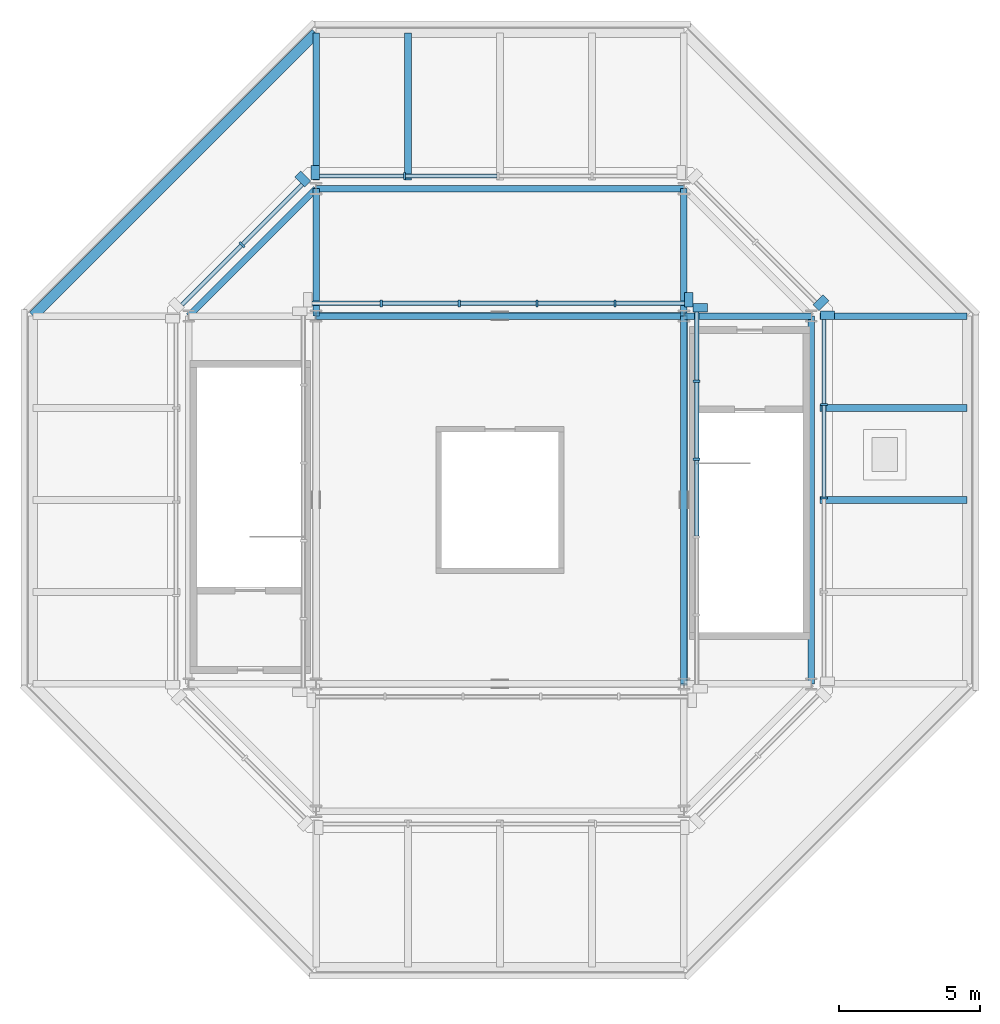
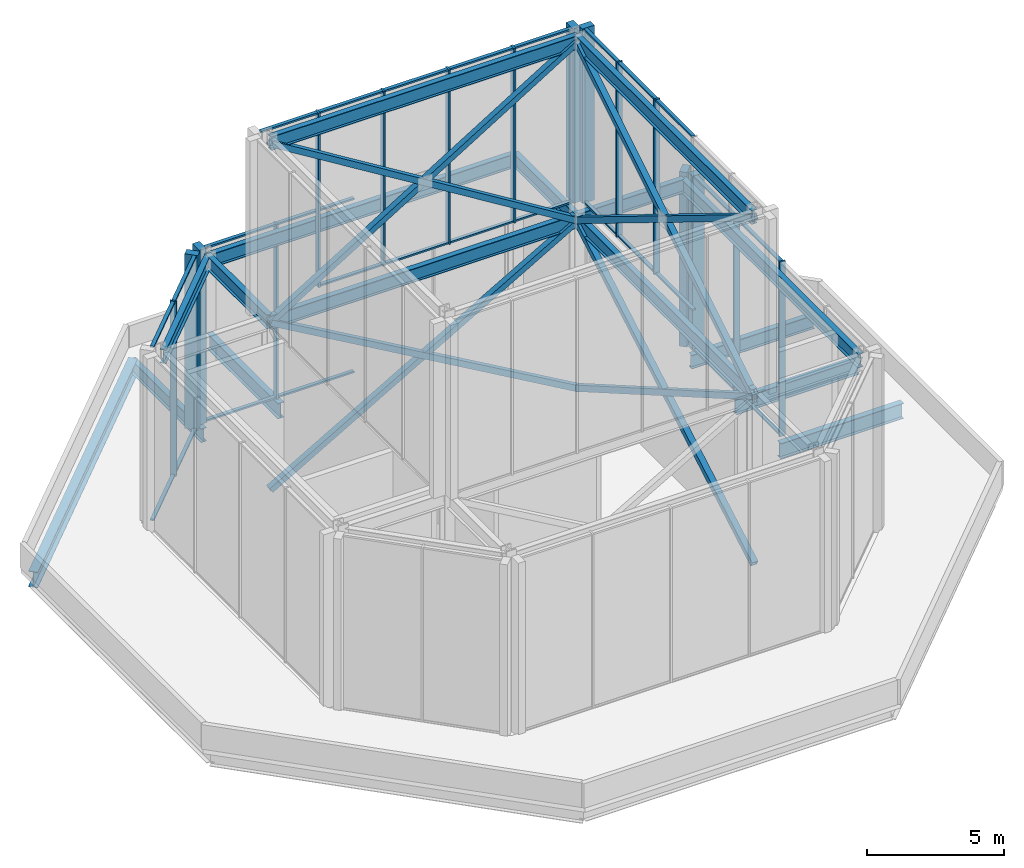
# One storey, part 3 of 6: 51 members, 16 beams, 6 elements without a shape of their own.
"""IFC4 building model written with IfcOpenShell, lengths in metres."""

from ifc_helpers import new_model, si_unit, direction, frame, origin, origin_2d, place, context, subcontext, project, spatial, rectangle, hollow_rectangle, i_section, extrude, material, material_profile, profile_set, type_object, element, aggregate, save


model = new_model("IFC4")

# Units and contexts
model_context = context("Model", 3, precision=1e-05, world=origin(), true_north=direction((0.0, 1.0)))
body_context = subcontext(model_context, "Body", "Model", "MODEL_VIEW")
ifc_project = project(units=[si_unit("LENGTHUNIT", "METRE"), si_unit("AREAUNIT", "SQUARE_METRE"), si_unit("VOLUMEUNIT", "CUBIC_METRE"), si_unit("PLANEANGLEUNIT", "RADIAN"), si_unit("MASSUNIT", "GRAM", prefix="KILO")], contexts=[model_context])

# Site, building, storey
site_placement = place(None, origin())
site = spatial("IfcSite", under=ifc_project, at=site_placement, CompositionType="ELEMENT")
building_placement = place(site_placement, origin())
building = spatial("IfcBuilding", under=site, at=building_placement, Name="Trevanion Tower", CompositionType="ELEMENT")
storey_placement = place(building_placement, frame((0.0, 0.0, 310.199951171875)))
storey = spatial("IfcBuildingStorey", under=building, at=storey_placement, Name="ROOF", CompositionType="ELEMENT", Elevation=310.199951171875)

# Beams
ifc_material_1 = material(Name="Steel ASTM A992 Grade 50", Category="steel")
ifc_material_profile_1 = material_profile(ifc_material_1, i_section(OverallWidth=0.25390625, OverallDepth=0.683349609375, WebThickness=0.012451171875, FlangeThickness=0.01904296875, at=origin_2d()), Name="W27X94")
ifc_profile_set_1 = profile_set([ifc_material_profile_1], Name="Steel ASTM A992 Grade 50")
beam_type_1 = type_object("IfcBeamType", Name="B16 W27X94", PredefinedType="BEAM", material=ifc_profile_set_1)
for number, where, z_axis, x_axis, name in (
    (1, (11.300048828125, 0.0, -0.531494140625), (1.0, 0.0, 0.0), (0.0, 1.0, 0.0), "B16 ROOF"),
    (2, (11.300048828125, 3.25, -0.531494140625), (1.0, 0.0, 0.0), (0.0, 1.0, 0.0), "B16 ROOF"),
    (3, (-3.25, 11.300048828125, -0.531494140625), (0.0, 1.0, 0.0), (-1.0, 0.0, 0.0), "B16 ROOF"),
):
    element("IfcBeam", number, at=place(storey_placement, frame(where, z_axis=z_axis, x_axis=x_axis)), inside=storey, type_object=beam_type_1, Name=name, PredefinedType="BEAM", context=body_context, shape_type="SweptSolid", body=[
        extrude(i_section(OverallWidth=0.25390625, OverallDepth=0.683349609375, WebThickness=0.012451171875, FlangeThickness=0.01904296875, at=origin_2d()), origin(), (0.0, 0.0, 1.0), 5.199951171875),
    ])
ifc_material_2 = material(Name="Steel ASTM A992 Grade 50", Category="steel")
ifc_material_profile_2 = material_profile(ifc_material_2, i_section(OverallWidth=0.23046875, OverallDepth=0.6171875, WebThickness=0.01318359375, FlangeThickness=0.022216796875, at=origin_2d()), Name="W24X94")
ifc_profile_set_2 = profile_set([ifc_material_profile_2], Name="Steel ASTM A992 Grade 50")
beam_type_2 = type_object("IfcBeamType", Name="CR1 W24X94", PredefinedType="BEAM", material=ifc_profile_set_2)
for number, where, z_axis, x_axis, name in (
    (4, (11.0, -6.5, 7.50146484375), (0.0, 1.0, 0.0), (-1.0, 0.0, 0.0), "CR1 crown T1 ring"),
    (5, (6.5, 11.0, 7.50146484375), (-1.0, 0.0, 0.0), (0.0, -1.0, 0.0), "CR1 crown T1 ring"),
):
    element("IfcBeam", number, at=place(storey_placement, frame(where, z_axis=z_axis, x_axis=x_axis)), inside=storey, type_object=beam_type_2, Name=name, PredefinedType="BEAM", context=body_context, shape_type="SweptSolid", body=[
        extrude(i_section(OverallWidth=0.23046875, OverallDepth=0.6171875, WebThickness=0.01318359375, FlangeThickness=0.022216796875, at=origin_2d()), origin(), (0.0, 0.0, 1.0), 13.0),
    ])
beam_1_placement = place(storey_placement, frame((-6.5, 11.0, 7.50146484375), z_axis=(-0.707106781187, -0.707106781187, 0.0), x_axis=(0.707106781187, -0.707106781187, 0.0)))
element("IfcBeam", 6, at=beam_1_placement, inside=storey, type_object=beam_type_2, Name="CR1 crown T1 ring", PredefinedType="BEAM", context=body_context, shape_type="SweptSolid", body=[
    extrude(i_section(OverallWidth=0.23046875, OverallDepth=0.6171875, WebThickness=0.01318359375, FlangeThickness=0.022216796875, at=origin_2d()), origin(), (0.0, 0.0, 1.0), 6.364013671875),
])
for number, where, z_axis, x_axis, name in (
    (7, (6.5, -6.5, 15.50146484375), (0.0, 1.0, 0.0), (-1.0, 0.0, 0.0), "CR1 crown T2 ring"),
    (8, (6.5, 6.5, 15.50146484375), (-1.0, 0.0, 0.0), (0.0, -1.0, 0.0), "CR1 crown T2 ring"),
):
    element("IfcBeam", number, at=place(storey_placement, frame(where, z_axis=z_axis, x_axis=x_axis)), inside=storey, type_object=beam_type_2, Name=name, PredefinedType="BEAM", context=body_context, shape_type="SweptSolid", body=[
        extrude(i_section(OverallWidth=0.23046875, OverallDepth=0.6171875, WebThickness=0.01318359375, FlangeThickness=0.022216796875, at=origin_2d()), origin(), (0.0, 0.0, 1.0), 13.0),
    ])
ifc_material_3 = material(Name="Steel ASTM A992 Grade 50", Category="steel")
ifc_material_profile_3 = material_profile(ifc_material_3, i_section(OverallWidth=0.23046875, OverallDepth=0.6171875, WebThickness=0.01318359375, FlangeThickness=0.022216796875, at=origin_2d()), Name="W24X94")
ifc_profile_set_3 = profile_set([ifc_material_profile_3], Name="Steel ASTM A992 Grade 50")
beam_type_3 = type_object("IfcBeamType", Name="CR2 W24X94", PredefinedType="BEAM", material=ifc_profile_set_3)
for number, where, z_axis, x_axis, name in (
    (9, (6.5, -6.5, 7.50146484375), (0.0, 1.0, 0.0), (-1.0, 0.0, 0.0), "CR2 crown tier 1 inner ring"),
    (10, (6.5, 6.5, 7.50146484375), (-1.0, 0.0, 0.0), (0.0, -1.0, 0.0), "CR2 crown tier 1 inner ring"),
):
    element("IfcBeam", number, at=place(storey_placement, frame(where, z_axis=z_axis, x_axis=x_axis)), inside=storey, type_object=beam_type_3, Name=name, PredefinedType="BEAM", context=body_context, shape_type="SweptSolid", body=[
        extrude(i_section(OverallWidth=0.23046875, OverallDepth=0.6171875, WebThickness=0.01318359375, FlangeThickness=0.022216796875, at=origin_2d()), origin(), (0.0, 0.0, 1.0), 13.0),
    ])
for number, where, z_axis, x_axis, name in (
    (11, (6.5, 6.5, 7.50146484375), (1.0, 0.0, 0.0), (0.0, 1.0, 0.0), "CR2 crown tier 1 radial"),
    (12, (6.5, 6.5, 7.50146484375), (0.0, 1.0, 0.0), (-1.0, 0.0, 0.0), "CR2 crown tier 1 radial"),
    (13, (-6.5, 6.5, 7.50146484375), (0.0, 1.0, 0.0), (-1.0, 0.0, 0.0), "CR2 crown tier 1 radial"),
):
    element("IfcBeam", number, at=place(storey_placement, frame(where, z_axis=z_axis, x_axis=x_axis)), inside=storey, type_object=beam_type_3, Name=name, PredefinedType="BEAM", context=body_context, shape_type="SweptSolid", body=[
        extrude(i_section(OverallWidth=0.23046875, OverallDepth=0.6171875, WebThickness=0.01318359375, FlangeThickness=0.022216796875, at=origin_2d()), origin(), (0.0, 0.0, 1.0), 4.5),
    ])

# Curtain wall, member
ifc_material_4 = material(Name="Aluminium louvres", Category="aluminium")
curtain_wall_type = type_object("IfcCurtainWallType", Name="CWC curtain wall", PredefinedType="USERDEFINED", material=ifc_material_4)
curtain_wall_1_placement = place(storey_placement, origin())
curtain_wall_1 = element("IfcCurtainWall", 14, at=curtain_wall_1_placement, inside=storey, type_object=curtain_wall_type, Name="CWC ROOF 1", ObjectType="LOUVRE SCREEN", PredefinedType="USERDEFINED")
ifc_material_5 = material(Name="Aluminium extrusion, anodised bronze", Category="aluminium")
ifc_material_profile_4 = material_profile(ifc_material_5, rectangle(XDim=0.074951171875, YDim=0.25, at=origin_2d()), Name="CWC mullion")
ifc_profile_set_4 = profile_set([ifc_material_profile_4], Name="Aluminium extrusion, anodised bronze")
member_type_1 = type_object("IfcMemberType", Name="CWC mullion", PredefinedType="MULLION", material=ifc_profile_set_4)
member_1_placement = place(storey_placement, frame((-3.375732421875, 11.449951171875, 0.0), z_axis=(0.0, 0.0, 1.0), x_axis=(-1.0, 0.0, 0.0)))
member_1 = element("IfcMember", 15, at=member_1_placement, type_object=member_type_1, Name="CWC mullion 4", PredefinedType="MULLION", context=body_context, shape_type="SweptSolid", body=[
    extrude(rectangle(XDim=0.074951171875, YDim=0.25, at=origin_2d()), origin(), (0.0, 0.0, 1.0), 7.81005859375),
])

curtain_wall_2_placement = place(storey_placement, origin())
curtain_wall_2 = element("IfcCurtainWall", 16, at=curtain_wall_2_placement, inside=storey, type_object=curtain_wall_type, Name="CWC ROOF 2", ObjectType="LOUVRE SCREEN", PredefinedType="USERDEFINED")
member_2_placement = place(storey_placement, frame((-9.1142578125, 9.022216796875, 0.0), z_axis=(0.0, 0.0, 1.0), x_axis=(-0.707106781187, -0.707106781187, 0.0)))
member_2 = element("IfcMember", 17, at=member_2_placement, type_object=member_type_1, Name="CWC mullion 2", PredefinedType="MULLION", context=body_context, shape_type="SweptSolid", body=[
    extrude(rectangle(XDim=0.074951171875, YDim=0.25, at=origin_2d()), origin(), (0.0, 0.0, 1.0), 7.81005859375),
])

# Curtain wall, members
curtain_wall_3_placement = place(storey_placement, origin())
curtain_wall_3 = element("IfcCurtainWall", 18, at=curtain_wall_3_placement, inside=storey, type_object=curtain_wall_type, Name="CWC ROOF 7", ObjectType="LOUVRE SCREEN", PredefinedType="USERDEFINED")
member_3_placement = place(storey_placement, frame((11.449951171875, 0.06494140625, 0.0), z_axis=(0.0, 0.0, 1.0), x_axis=(0.0, 1.0, 0.0)))
member_3 = element("IfcMember", 19, at=member_3_placement, type_object=member_type_1, Name="CWC mullion 3", PredefinedType="MULLION", context=body_context, shape_type="SweptSolid", body=[
    extrude(rectangle(XDim=0.074951171875, YDim=0.25, at=origin_2d()), origin(), (0.0, 0.0, 1.0), 7.81005859375),
])
member_4_placement = place(storey_placement, frame((11.449951171875, 3.375732421875, 0.0), z_axis=(0.0, 0.0, 1.0), x_axis=(0.0, 1.0, 0.0)))
member_4 = element("IfcMember", 20, at=member_4_placement, type_object=member_type_1, Name="CWC mullion 4", PredefinedType="MULLION", context=body_context, shape_type="SweptSolid", body=[
    extrude(rectangle(XDim=0.074951171875, YDim=0.25, at=origin_2d()), origin(), (0.0, 0.0, 1.0), 7.81005859375),
])

curtain_wall_4_placement = place(storey_placement, origin())
curtain_wall_4 = element("IfcCurtainWall", 21, at=curtain_wall_4_placement, inside=storey, type_object=curtain_wall_type, Name="CWC ROOF 0", ObjectType="LOUVRE SCREEN", PredefinedType="USERDEFINED")
member_5_placement = place(storey_placement, frame((4.06591796875, 6.949951171875, 8.0), z_axis=(0.0, 0.0, 1.0), x_axis=(-1.0, 0.0, 0.0)))
member_5 = element("IfcMember", 22, at=member_5_placement, type_object=member_type_1, Name="CWC mullion 2", PredefinedType="MULLION", context=body_context, shape_type="SweptSolid", body=[
    extrude(rectangle(XDim=0.074951171875, YDim=0.25, at=origin_2d()), origin(), (0.0, 0.0, 1.0), 7.81005859375),
])
member_6_placement = place(storey_placement, frame((1.31201171875, 6.949951171875, 8.0), z_axis=(0.0, 0.0, 1.0), x_axis=(-1.0, 0.0, 0.0)))
member_6 = element("IfcMember", 23, at=member_6_placement, type_object=member_type_1, Name="CWC mullion 3", PredefinedType="MULLION", context=body_context, shape_type="SweptSolid", body=[
    extrude(rectangle(XDim=0.074951171875, YDim=0.25, at=origin_2d()), origin(), (0.0, 0.0, 1.0), 7.81005859375),
])
member_7_placement = place(storey_placement, frame((-1.44189453125, 6.949951171875, 8.0), z_axis=(0.0, 0.0, 1.0), x_axis=(-1.0, 0.0, 0.0)))
member_7 = element("IfcMember", 24, at=member_7_placement, type_object=member_type_1, Name="CWC mullion 4", PredefinedType="MULLION", context=body_context, shape_type="SweptSolid", body=[
    extrude(rectangle(XDim=0.074951171875, YDim=0.25, at=origin_2d()), origin(), (0.0, 0.0, 1.0), 7.81005859375),
])
member_8_placement = place(storey_placement, frame((-4.196044921875, 6.949951171875, 8.0), z_axis=(0.0, 0.0, 1.0), x_axis=(-1.0, 0.0, 0.0)))
member_8 = element("IfcMember", 25, at=member_8_placement, type_object=member_type_1, Name="CWC mullion 5", PredefinedType="MULLION", context=body_context, shape_type="SweptSolid", body=[
    extrude(rectangle(XDim=0.074951171875, YDim=0.25, at=origin_2d()), origin(), (0.0, 0.0, 1.0), 7.81005859375),
])

curtain_wall_5_placement = place(storey_placement, origin())
curtain_wall_5 = element("IfcCurtainWall", 26, at=curtain_wall_5_placement, inside=storey, type_object=curtain_wall_type, Name="CWC ROOF 3", ObjectType="LOUVRE SCREEN", PredefinedType="USERDEFINED")
member_9_placement = place(storey_placement, frame((6.949951171875, 1.44189453125, 8.0), z_axis=(0.0, 0.0, 1.0), x_axis=(0.0, 1.0, 0.0)))
member_9 = element("IfcMember", 27, at=member_9_placement, type_object=member_type_1, Name="CWC mullion 4", PredefinedType="MULLION", context=body_context, shape_type="SweptSolid", body=[
    extrude(rectangle(XDim=0.074951171875, YDim=0.25, at=origin_2d()), origin(), (0.0, 0.0, 1.0), 7.81005859375),
])
member_10_placement = place(storey_placement, frame((6.949951171875, 4.196044921875, 8.0), z_axis=(0.0, 0.0, 1.0), x_axis=(0.0, 1.0, 0.0)))
member_10 = element("IfcMember", 28, at=member_10_placement, type_object=member_type_1, Name="CWC mullion 5", PredefinedType="MULLION", context=body_context, shape_type="SweptSolid", body=[
    extrude(rectangle(XDim=0.074951171875, YDim=0.25, at=origin_2d()), origin(), (0.0, 0.0, 1.0), 7.81005859375),
])

# Curtain wall, member
curtain_wall_6_placement = place(storey_placement, origin())
curtain_wall_6 = element("IfcCurtainWall", 29, at=curtain_wall_6_placement, inside=storey, type_object=curtain_wall_type, Name="CWC ROOF 0", ObjectType="LOUVRE SCREEN", PredefinedType="USERDEFINED")
ifc_material_6 = material(Name="Aluminium extrusion, anodised bronze", Category="aluminium")
ifc_material_profile_5 = material_profile(ifc_material_6, rectangle(XDim=0.300048828125, YDim=0.5, at=origin_2d()), Name="CWC pier mullion")
ifc_profile_set_5 = profile_set([ifc_material_profile_5], Name="Aluminium extrusion, anodised bronze")
member_type_2 = type_object("IfcMemberType", Name="CWC pier mullion", PredefinedType="MULLION", material=ifc_profile_set_5)
member_11_placement = place(storey_placement, frame((11.34033203125, 6.972900390625, 0.0), z_axis=(0.0, 0.0, 1.0), x_axis=(-0.707106781187, 0.707106781187, 0.0)))
member_11 = element("IfcMember", 30, at=member_11_placement, type_object=member_type_2, Name="CWC pier mullion 1", PredefinedType="MULLION", context=body_context, shape_type="SweptSolid", body=[
    extrude(rectangle(XDim=0.300048828125, YDim=0.5, at=origin_2d()), origin(), (0.0, 0.0, 1.0), 7.81005859375),
])
aggregate(curtain_wall_6, [member_11])

# Member
member_12_placement = place(storey_placement, frame((-6.536376953125, 11.574951171875, 0.0), z_axis=(0.0, 0.0, 1.0), x_axis=(-1.0, 0.0, 0.0)))
member_12 = element("IfcMember", 31, at=member_12_placement, type_object=member_type_2, Name="CWC pier mullion 5", PredefinedType="MULLION", context=body_context, shape_type="SweptSolid", body=[
    extrude(rectangle(XDim=0.300048828125, YDim=0.5, at=origin_2d()), origin(), (0.0, 0.0, 1.0), 7.81005859375),
])

member_13_placement = place(storey_placement, frame((-6.972900390625, 11.34033203125, 0.0), z_axis=(0.0, 0.0, 1.0), x_axis=(-0.707106781187, -0.707106781187, 0.0)))
member_13 = element("IfcMember", 32, at=member_13_placement, type_object=member_type_2, Name="CWC pier mullion 1", PredefinedType="MULLION", context=body_context, shape_type="SweptSolid", body=[
    extrude(rectangle(XDim=0.300048828125, YDim=0.5, at=origin_2d()), origin(), (0.0, 0.0, 1.0), 7.81005859375),
])

member_14_placement = place(storey_placement, frame((11.574951171875, 6.536376953125, 0.0), z_axis=(0.0, 0.0, 1.0), x_axis=(0.0, 1.0, 0.0)))
member_14 = element("IfcMember", 33, at=member_14_placement, type_object=member_type_2, Name="CWC pier mullion 5", PredefinedType="MULLION", context=body_context, shape_type="SweptSolid", body=[
    extrude(rectangle(XDim=0.300048828125, YDim=0.5, at=origin_2d()), origin(), (0.0, 0.0, 1.0), 7.81005859375),
])

member_15_placement = place(storey_placement, frame((6.669921875, 7.074951171875, 8.0), z_axis=(0.0, 0.0, 1.0), x_axis=(-1.0, 0.0, 0.0)))
member_15 = element("IfcMember", 34, at=member_15_placement, type_object=member_type_2, Name="CWC pier mullion 1", PredefinedType="MULLION", context=body_context, shape_type="SweptSolid", body=[
    extrude(rectangle(XDim=0.300048828125, YDim=0.5, at=origin_2d()), origin(), (0.0, 0.0, 1.0), 7.81005859375),
])

member_16_placement = place(storey_placement, frame((7.074951171875, 6.800048828125, 8.0), z_axis=(0.0, 0.0, 1.0), x_axis=(0.0, 1.0, 0.0)))
member_16 = element("IfcMember", 35, at=member_16_placement, type_object=member_type_2, Name="CWC pier mullion 6", PredefinedType="MULLION", context=body_context, shape_type="SweptSolid", body=[
    extrude(rectangle(XDim=0.300048828125, YDim=0.5, at=origin_2d()), origin(), (0.0, 0.0, 1.0), 7.81005859375),
])

ifc_material_7 = material(Name="Aluminium extrusion, anodised bronze", Category="aluminium")
ifc_material_profile_6 = material_profile(ifc_material_7, rectangle(XDim=0.14990234375, YDim=0.074951171875, at=origin_2d()), Name="CWC transom")
ifc_profile_set_6 = profile_set([ifc_material_profile_6], Name="Aluminium extrusion, anodised bronze")
member_type_3 = type_object("IfcMemberType", Name="CWC transom", PredefinedType="USERDEFINED", material=ifc_profile_set_6)
member_17_placement = place(storey_placement, frame((-0.1025390625, 11.449951171875, 0.03759765625), z_axis=(-1.0, 0.0, 0.0), x_axis=(0.0, -1.0, 0.0)))
member_17 = element("IfcMember", 36, at=member_17_placement, type_object=member_type_3, Name="CWC transom 3.1", ObjectType="TRANSOM", PredefinedType="USERDEFINED", context=body_context, shape_type="SweptSolid", body=[
    extrude(rectangle(XDim=0.14990234375, YDim=0.074951171875, at=origin_2d()), origin(), (0.0, 0.0, 1.0), 3.235595703125),
])

member_18_placement = place(storey_placement, frame((-0.1025390625, 11.449951171875, 7.7724609375), z_axis=(-1.0, 0.0, 0.0), x_axis=(0.0, -1.0, 0.0)))
member_18 = element("IfcMember", 37, at=member_18_placement, type_object=member_type_3, Name="CWC transom 3.2", ObjectType="TRANSOM", PredefinedType="USERDEFINED", context=body_context, shape_type="SweptSolid", body=[
    extrude(rectangle(XDim=0.14990234375, YDim=0.074951171875, at=origin_2d()), origin(), (0.0, 0.0, 1.0), 3.235595703125),
])

member_19_placement = place(storey_placement, frame((-3.4130859375, 11.449951171875, 0.03759765625), z_axis=(-1.0, 0.0, 0.0), x_axis=(0.0, -1.0, 0.0)))
member_19 = element("IfcMember", 38, at=member_19_placement, type_object=member_type_3, Name="CWC transom 4.1", ObjectType="TRANSOM", PredefinedType="USERDEFINED", context=body_context, shape_type="SweptSolid", body=[
    extrude(rectangle(XDim=0.14990234375, YDim=0.074951171875, at=origin_2d()), origin(), (0.0, 0.0, 1.0), 2.973388671875),
])

member_20_placement = place(storey_placement, frame((-3.4130859375, 11.449951171875, 7.7724609375), z_axis=(-1.0, 0.0, 0.0), x_axis=(0.0, -1.0, 0.0)))
member_20 = element("IfcMember", 39, at=member_20_placement, type_object=member_type_3, Name="CWC transom 4.2", ObjectType="TRANSOM", PredefinedType="USERDEFINED", context=body_context, shape_type="SweptSolid", body=[
    extrude(rectangle(XDim=0.14990234375, YDim=0.074951171875, at=origin_2d()), origin(), (0.0, 0.0, 1.0), 2.973388671875),
])

aggregate(curtain_wall_1, [member_1, member_12, member_17, member_18, member_19, member_20])

member_21_placement = place(storey_placement, frame((-6.990478515625, 11.14599609375, 0.03759765625), z_axis=(-0.707106781187, -0.707106781187, 0.0), x_axis=(0.707106781187, -0.707106781187, 0.0)))
member_21 = element("IfcMember", 40, at=member_21_placement, type_object=member_type_3, Name="CWC transom 1.1", ObjectType="TRANSOM", PredefinedType="USERDEFINED", context=body_context, shape_type="SweptSolid", body=[
    extrude(rectangle(XDim=0.14990234375, YDim=0.074951171875, at=origin_2d()), origin(), (0.0, 0.0, 1.0), 2.9658203125),
])

member_22_placement = place(storey_placement, frame((-6.990478515625, 11.14599609375, 7.7724609375), z_axis=(-0.707106781187, -0.707106781187, 0.0), x_axis=(0.707106781187, -0.707106781187, 0.0)))
member_22 = element("IfcMember", 41, at=member_22_placement, type_object=member_type_3, Name="CWC transom 1.2", ObjectType="TRANSOM", PredefinedType="USERDEFINED", context=body_context, shape_type="SweptSolid", body=[
    extrude(rectangle(XDim=0.14990234375, YDim=0.074951171875, at=origin_2d()), origin(), (0.0, 0.0, 1.0), 2.9658203125),
])

member_23_placement = place(storey_placement, frame((-9.140625, 8.99560546875, 0.03759765625), z_axis=(-0.707106781187, -0.707106781187, 0.0), x_axis=(0.707106781187, -0.707106781187, 0.0)))
member_23 = element("IfcMember", 42, at=member_23_placement, type_object=member_type_3, Name="CWC transom 2.1", ObjectType="TRANSOM", PredefinedType="USERDEFINED", context=body_context, shape_type="SweptSolid", body=[
    extrude(rectangle(XDim=0.14990234375, YDim=0.074951171875, at=origin_2d()), origin(), (0.0, 0.0, 1.0), 2.9658203125),
])

member_24_placement = place(storey_placement, frame((-9.140625, 8.99560546875, 7.7724609375), z_axis=(-0.707106781187, -0.707106781187, 0.0), x_axis=(0.707106781187, -0.707106781187, 0.0)))
member_24 = element("IfcMember", 43, at=member_24_placement, type_object=member_type_3, Name="CWC transom 2.2", ObjectType="TRANSOM", PredefinedType="USERDEFINED", context=body_context, shape_type="SweptSolid", body=[
    extrude(rectangle(XDim=0.14990234375, YDim=0.074951171875, at=origin_2d()), origin(), (0.0, 0.0, 1.0), 2.9658203125),
])

aggregate(curtain_wall_2, [member_13, member_2, member_21, member_22, member_23, member_24])

member_25_placement = place(storey_placement, frame((11.449951171875, 0.1025390625, 0.03759765625), z_axis=(0.0, 1.0, 0.0), x_axis=(-1.0, 0.0, 0.0)))
member_25 = element("IfcMember", 44, at=member_25_placement, type_object=member_type_3, Name="CWC transom 3.1", ObjectType="TRANSOM", PredefinedType="USERDEFINED", context=body_context, shape_type="SweptSolid", body=[
    extrude(rectangle(XDim=0.14990234375, YDim=0.074951171875, at=origin_2d()), origin(), (0.0, 0.0, 1.0), 3.235595703125),
])

member_26_placement = place(storey_placement, frame((11.449951171875, 0.1025390625, 7.7724609375), z_axis=(0.0, 1.0, 0.0), x_axis=(-1.0, 0.0, 0.0)))
member_26 = element("IfcMember", 45, at=member_26_placement, type_object=member_type_3, Name="CWC transom 3.2", ObjectType="TRANSOM", PredefinedType="USERDEFINED", context=body_context, shape_type="SweptSolid", body=[
    extrude(rectangle(XDim=0.14990234375, YDim=0.074951171875, at=origin_2d()), origin(), (0.0, 0.0, 1.0), 3.235595703125),
])

member_27_placement = place(storey_placement, frame((11.449951171875, 3.4130859375, 0.03759765625), z_axis=(0.0, 1.0, 0.0), x_axis=(-1.0, 0.0, 0.0)))
member_27 = element("IfcMember", 46, at=member_27_placement, type_object=member_type_3, Name="CWC transom 4.1", ObjectType="TRANSOM", PredefinedType="USERDEFINED", context=body_context, shape_type="SweptSolid", body=[
    extrude(rectangle(XDim=0.14990234375, YDim=0.074951171875, at=origin_2d()), origin(), (0.0, 0.0, 1.0), 2.973388671875),
])

member_28_placement = place(storey_placement, frame((11.449951171875, 3.4130859375, 7.7724609375), z_axis=(0.0, 1.0, 0.0), x_axis=(-1.0, 0.0, 0.0)))
member_28 = element("IfcMember", 47, at=member_28_placement, type_object=member_type_3, Name="CWC transom 4.2", ObjectType="TRANSOM", PredefinedType="USERDEFINED", context=body_context, shape_type="SweptSolid", body=[
    extrude(rectangle(XDim=0.14990234375, YDim=0.074951171875, at=origin_2d()), origin(), (0.0, 0.0, 1.0), 2.973388671875),
])

aggregate(curtain_wall_3, [member_3, member_4, member_14, member_25, member_26, member_27, member_28])

member_29_placement = place(storey_placement, frame((6.52001953125, 6.949951171875, 8.03759765625), z_axis=(-1.0, 0.0, 0.0), x_axis=(0.0, -1.0, 0.0)))
member_29 = element("IfcMember", 48, at=member_29_placement, type_object=member_type_3, Name="CWC transom 1.1", ObjectType="TRANSOM", PredefinedType="USERDEFINED", context=body_context, shape_type="SweptSolid", body=[
    extrude(rectangle(XDim=0.14990234375, YDim=0.074951171875, at=origin_2d()), origin(), (0.0, 0.0, 1.0), 2.41650390625),
])

member_30_placement = place(storey_placement, frame((6.52001953125, 6.949951171875, 15.7724609375), z_axis=(-1.0, 0.0, 0.0), x_axis=(0.0, -1.0, 0.0)))
member_30 = element("IfcMember", 49, at=member_30_placement, type_object=member_type_3, Name="CWC transom 1.2", ObjectType="TRANSOM", PredefinedType="USERDEFINED", context=body_context, shape_type="SweptSolid", body=[
    extrude(rectangle(XDim=0.14990234375, YDim=0.074951171875, at=origin_2d()), origin(), (0.0, 0.0, 1.0), 2.41650390625),
])

member_31_placement = place(storey_placement, frame((4.028564453125, 6.949951171875, 8.03759765625), z_axis=(-1.0, 0.0, 0.0), x_axis=(0.0, -1.0, 0.0)))
member_31 = element("IfcMember", 50, at=member_31_placement, type_object=member_type_3, Name="CWC transom 2.1", ObjectType="TRANSOM", PredefinedType="USERDEFINED", context=body_context, shape_type="SweptSolid", body=[
    extrude(rectangle(XDim=0.14990234375, YDim=0.074951171875, at=origin_2d()), origin(), (0.0, 0.0, 1.0), 2.678955078125),
])

member_32_placement = place(storey_placement, frame((4.028564453125, 6.949951171875, 15.7724609375), z_axis=(-1.0, 0.0, 0.0), x_axis=(0.0, -1.0, 0.0)))
member_32 = element("IfcMember", 51, at=member_32_placement, type_object=member_type_3, Name="CWC transom 2.2", ObjectType="TRANSOM", PredefinedType="USERDEFINED", context=body_context, shape_type="SweptSolid", body=[
    extrude(rectangle(XDim=0.14990234375, YDim=0.074951171875, at=origin_2d()), origin(), (0.0, 0.0, 1.0), 2.678955078125),
])

member_33_placement = place(storey_placement, frame((1.2744140625, 6.949951171875, 8.03759765625), z_axis=(-1.0, 0.0, 0.0), x_axis=(0.0, -1.0, 0.0)))
member_33 = element("IfcMember", 52, at=member_33_placement, type_object=member_type_3, Name="CWC transom 3.1", ObjectType="TRANSOM", PredefinedType="USERDEFINED", context=body_context, shape_type="SweptSolid", body=[
    extrude(rectangle(XDim=0.14990234375, YDim=0.074951171875, at=origin_2d()), origin(), (0.0, 0.0, 1.0), 2.678955078125),
])

member_34_placement = place(storey_placement, frame((1.2744140625, 6.949951171875, 15.7724609375), z_axis=(-1.0, 0.0, 0.0), x_axis=(0.0, -1.0, 0.0)))
member_34 = element("IfcMember", 53, at=member_34_placement, type_object=member_type_3, Name="CWC transom 3.2", ObjectType="TRANSOM", PredefinedType="USERDEFINED", context=body_context, shape_type="SweptSolid", body=[
    extrude(rectangle(XDim=0.14990234375, YDim=0.074951171875, at=origin_2d()), origin(), (0.0, 0.0, 1.0), 2.678955078125),
])

member_35_placement = place(storey_placement, frame((-1.4794921875, 6.949951171875, 8.03759765625), z_axis=(-1.0, 0.0, 0.0), x_axis=(0.0, -1.0, 0.0)))
member_35 = element("IfcMember", 54, at=member_35_placement, type_object=member_type_3, Name="CWC transom 4.1", ObjectType="TRANSOM", PredefinedType="USERDEFINED", context=body_context, shape_type="SweptSolid", body=[
    extrude(rectangle(XDim=0.14990234375, YDim=0.074951171875, at=origin_2d()), origin(), (0.0, 0.0, 1.0), 2.678955078125),
])

member_36_placement = place(storey_placement, frame((-1.4794921875, 6.949951171875, 15.7724609375), z_axis=(-1.0, 0.0, 0.0), x_axis=(0.0, -1.0, 0.0)))
member_36 = element("IfcMember", 55, at=member_36_placement, type_object=member_type_3, Name="CWC transom 4.2", ObjectType="TRANSOM", PredefinedType="USERDEFINED", context=body_context, shape_type="SweptSolid", body=[
    extrude(rectangle(XDim=0.14990234375, YDim=0.074951171875, at=origin_2d()), origin(), (0.0, 0.0, 1.0), 2.678955078125),
])

member_37_placement = place(storey_placement, frame((-4.2333984375, 6.949951171875, 15.7724609375), z_axis=(-1.0, 0.0, 0.0), x_axis=(0.0, -1.0, 0.0)))
member_37 = element("IfcMember", 56, at=member_37_placement, type_object=member_type_3, Name="CWC transom 5.2", ObjectType="TRANSOM", PredefinedType="USERDEFINED", context=body_context, shape_type="SweptSolid", body=[
    extrude(rectangle(XDim=0.14990234375, YDim=0.074951171875, at=origin_2d()), origin(), (0.0, 0.0, 1.0), 2.41650390625),
])

aggregate(curtain_wall_4, [member_15, member_5, member_6, member_7, member_8, member_29, member_30, member_31, member_32, member_33, member_34, member_35, member_36, member_37])

member_38_placement = place(storey_placement, frame((6.949951171875, -1.2744140625, 8.03759765625), z_axis=(0.0, 1.0, 0.0), x_axis=(-1.0, 0.0, 0.0)))
member_38 = element("IfcMember", 57, at=member_38_placement, type_object=member_type_3, Name="CWC transom 3.1", ObjectType="TRANSOM", PredefinedType="USERDEFINED", context=body_context, shape_type="SweptSolid", body=[
    extrude(rectangle(XDim=0.14990234375, YDim=0.074951171875, at=origin_2d()), origin(), (0.0, 0.0, 1.0), 2.678955078125),
])

member_39_placement = place(storey_placement, frame((6.949951171875, -1.2744140625, 15.7724609375), z_axis=(0.0, 1.0, 0.0), x_axis=(-1.0, 0.0, 0.0)))
member_39 = element("IfcMember", 58, at=member_39_placement, type_object=member_type_3, Name="CWC transom 3.2", ObjectType="TRANSOM", PredefinedType="USERDEFINED", context=body_context, shape_type="SweptSolid", body=[
    extrude(rectangle(XDim=0.14990234375, YDim=0.074951171875, at=origin_2d()), origin(), (0.0, 0.0, 1.0), 2.678955078125),
])

member_40_placement = place(storey_placement, frame((6.949951171875, 1.4794921875, 8.03759765625), z_axis=(0.0, 1.0, 0.0), x_axis=(-1.0, 0.0, 0.0)))
member_40 = element("IfcMember", 59, at=member_40_placement, type_object=member_type_3, Name="CWC transom 4.1", ObjectType="TRANSOM", PredefinedType="USERDEFINED", context=body_context, shape_type="SweptSolid", body=[
    extrude(rectangle(XDim=0.14990234375, YDim=0.074951171875, at=origin_2d()), origin(), (0.0, 0.0, 1.0), 2.678955078125),
])

member_41_placement = place(storey_placement, frame((6.949951171875, 1.4794921875, 15.7724609375), z_axis=(0.0, 1.0, 0.0), x_axis=(-1.0, 0.0, 0.0)))
member_41 = element("IfcMember", 60, at=member_41_placement, type_object=member_type_3, Name="CWC transom 4.2", ObjectType="TRANSOM", PredefinedType="USERDEFINED", context=body_context, shape_type="SweptSolid", body=[
    extrude(rectangle(XDim=0.14990234375, YDim=0.074951171875, at=origin_2d()), origin(), (0.0, 0.0, 1.0), 2.678955078125),
])

member_42_placement = place(storey_placement, frame((6.949951171875, 4.2333984375, 8.03759765625), z_axis=(0.0, 1.0, 0.0), x_axis=(-1.0, 0.0, 0.0)))
member_42 = element("IfcMember", 61, at=member_42_placement, type_object=member_type_3, Name="CWC transom 5.1", ObjectType="TRANSOM", PredefinedType="USERDEFINED", context=body_context, shape_type="SweptSolid", body=[
    extrude(rectangle(XDim=0.14990234375, YDim=0.074951171875, at=origin_2d()), origin(), (0.0, 0.0, 1.0), 2.41650390625),
])

member_43_placement = place(storey_placement, frame((6.949951171875, 4.2333984375, 15.7724609375), z_axis=(0.0, 1.0, 0.0), x_axis=(-1.0, 0.0, 0.0)))
member_43 = element("IfcMember", 62, at=member_43_placement, type_object=member_type_3, Name="CWC transom 5.2", ObjectType="TRANSOM", PredefinedType="USERDEFINED", context=body_context, shape_type="SweptSolid", body=[
    extrude(rectangle(XDim=0.14990234375, YDim=0.074951171875, at=origin_2d()), origin(), (0.0, 0.0, 1.0), 2.41650390625),
])

aggregate(curtain_wall_5, [member_9, member_10, member_16, member_38, member_39, member_40, member_41, member_42, member_43])

# Members
ifc_material_8 = material(Name="Steel ASTM A500 Grade C", Category="steel")
ifc_material_profile_7 = material_profile(ifc_material_8, hollow_rectangle(XDim=0.25390625, YDim=0.25390625, WallThickness=0.01171875, at=origin_2d()), Name="HSS10X10X1/2")
ifc_profile_set_7 = profile_set([ifc_material_profile_7], Name="Steel ASTM A500 Grade C")
member_type_4 = type_object("IfcMemberType", Name="CX1 HSS10X10X1/2", PredefinedType="BRACE", material=ifc_profile_set_7)
for number, where, z_axis, x_axis, name in (
    (63, (6.5, -6.5, 0.0), (0.0, 0.866143337737, 0.499795676745), (-1.0, 0.0, 0.0), "CX1 crown T2 brace"),
    (64, (6.5, 6.5, 0.0), (0.0, -0.866143337737, 0.499795676745), (1.0, 0.0, 0.0), "CX1 crown T2 brace"),
):
    element("IfcMember", number, at=place(storey_placement, frame(where, z_axis=z_axis, x_axis=x_axis)), inside=storey, type_object=member_type_4, Name=name, PredefinedType="BRACE", context=body_context, shape_type="SweptSolid", body=[
        extrude(hollow_rectangle(XDim=0.25390625, YDim=0.25390625, WallThickness=0.01171875, at=origin_2d()), origin(), (0.0, 0.0, 1.0), 15.009033203125),
    ])
for number, where, z_axis, x_axis, name in (
    (65, (6.5, -6.5, 7.50146484375), (0.0, 0.851658316705, 0.524097425664), (-1.0, 0.0, 0.0), "CX1 crown T2 brace"),
    (66, (6.5, 6.5, 7.50146484375), (0.0, -0.851658316705, 0.524097425664), (1.0, 0.0, 0.0), "CX1 crown T2 brace"),
):
    element("IfcMember", number, at=place(storey_placement, frame(where, z_axis=z_axis, x_axis=x_axis)), inside=storey, type_object=member_type_4, Name=name, PredefinedType="BRACE", context=body_context, shape_type="SweptSolid", body=[
        extrude(hollow_rectangle(XDim=0.25390625, YDim=0.25390625, WallThickness=0.01171875, at=origin_2d()), origin(), (0.0, 0.0, 1.0), 15.264404296875),
    ])
for number, where, z_axis, x_axis, name in (
    (67, (6.5, 6.5, 0.0), (-0.866143337737, 0.0, 0.499795676745), (0.0, -1.0, 0.0), "CX1 crown T2 brace"),
    (68, (-6.5, 6.5, 0.0), (0.866143337737, 0.0, 0.499795676745), (0.0, 1.0, 0.0), "CX1 crown T2 brace"),
):
    element("IfcMember", number, at=place(storey_placement, frame(where, z_axis=z_axis, x_axis=x_axis)), inside=storey, type_object=member_type_4, Name=name, PredefinedType="BRACE", context=body_context, shape_type="SweptSolid", body=[
        extrude(hollow_rectangle(XDim=0.25390625, YDim=0.25390625, WallThickness=0.01171875, at=origin_2d()), origin(), (0.0, 0.0, 1.0), 15.009033203125),
    ])
for number, where, z_axis, x_axis, name in (
    (69, (6.5, 6.5, 7.50146484375), (-0.851658316705, 0.0, 0.524097425664), (0.0, -1.0, 0.0), "CX1 crown T2 brace"),
    (70, (-6.5, 6.5, 7.50146484375), (0.851658316705, 0.0, 0.524097425664), (0.0, 1.0, 0.0), "CX1 crown T2 brace"),
):
    element("IfcMember", number, at=place(storey_placement, frame(where, z_axis=z_axis, x_axis=x_axis)), inside=storey, type_object=member_type_4, Name=name, PredefinedType="BRACE", context=body_context, shape_type="SweptSolid", body=[
        extrude(hollow_rectangle(XDim=0.25390625, YDim=0.25390625, WallThickness=0.01171875, at=origin_2d()), origin(), (0.0, 0.0, 1.0), 15.264404296875),
    ])

# Beams
ifc_material_9 = material(Name="Steel ASTM A992 Grade 50", Category="steel")
ifc_material_profile_8 = material_profile(ifc_material_9, i_section(OverallWidth=0.22900390625, OverallDepth=0.612060546875, WebThickness=0.011962890625, FlangeThickness=0.01953125, at=origin_2d()), Name="W24X84")
ifc_profile_set_8 = profile_set([ifc_material_profile_8], Name="Steel ASTM A992 Grade 50")
beam_type_4 = type_object("IfcBeamType", Name="G9 W24X84", PredefinedType="BEAM", material=ifc_profile_set_8)
for number, where, z_axis, x_axis, name in (
    (71, (11.300048828125, 6.5, -0.49609375), (1.0, 0.0, 0.0), (0.0, 1.0, 0.0), "G9 ROOF"),
    (72, (-6.5, 11.300048828125, -0.49609375), (0.0, 1.0, 0.0), (-1.0, 0.0, 0.0), "G9 ROOF"),
):
    element("IfcBeam", number, at=place(storey_placement, frame(where, z_axis=z_axis, x_axis=x_axis)), inside=storey, type_object=beam_type_4, Name=name, PredefinedType="BEAM", context=body_context, shape_type="SweptSolid", body=[
        extrude(i_section(OverallWidth=0.22900390625, OverallDepth=0.612060546875, WebThickness=0.011962890625, FlangeThickness=0.01953125, at=origin_2d()), origin(), (0.0, 0.0, 1.0), 5.199951171875),
    ])
ifc_material_10 = material(Name="Steel ASTM A992 Grade 50", Category="steel")
ifc_material_profile_9 = material_profile(ifc_material_10, i_section(OverallWidth=0.358154296875, OverallDepth=0.7060546875, WebThickness=0.018310546875, FlangeThickness=0.0302734375, at=origin_2d()), Name="W27X178")
ifc_profile_set_9 = profile_set([ifc_material_profile_9], Name="Steel ASTM A992 Grade 50")
beam_type_5 = type_object("IfcBeamType", Name="SB15 W27X178", PredefinedType="SPANDREL", material=ifc_profile_set_9)
beam_2_placement = place(storey_placement, frame((-6.5, 16.5, -0.54296875), z_axis=(-0.707106781187, -0.707106781187, 0.0), x_axis=(0.707106781187, -0.707106781187, 0.0)))
element("IfcBeam", 73, at=beam_2_placement, inside=storey, type_object=beam_type_5, Name="SB15 ROOF", PredefinedType="SPANDREL", context=body_context, shape_type="SweptSolid", body=[
    extrude(i_section(OverallWidth=0.358154296875, OverallDepth=0.7060546875, WebThickness=0.018310546875, FlangeThickness=0.0302734375, at=origin_2d()), origin(), (0.0, 0.0, 1.0), 14.14208984375),
])

save(model, "model.ifc")
